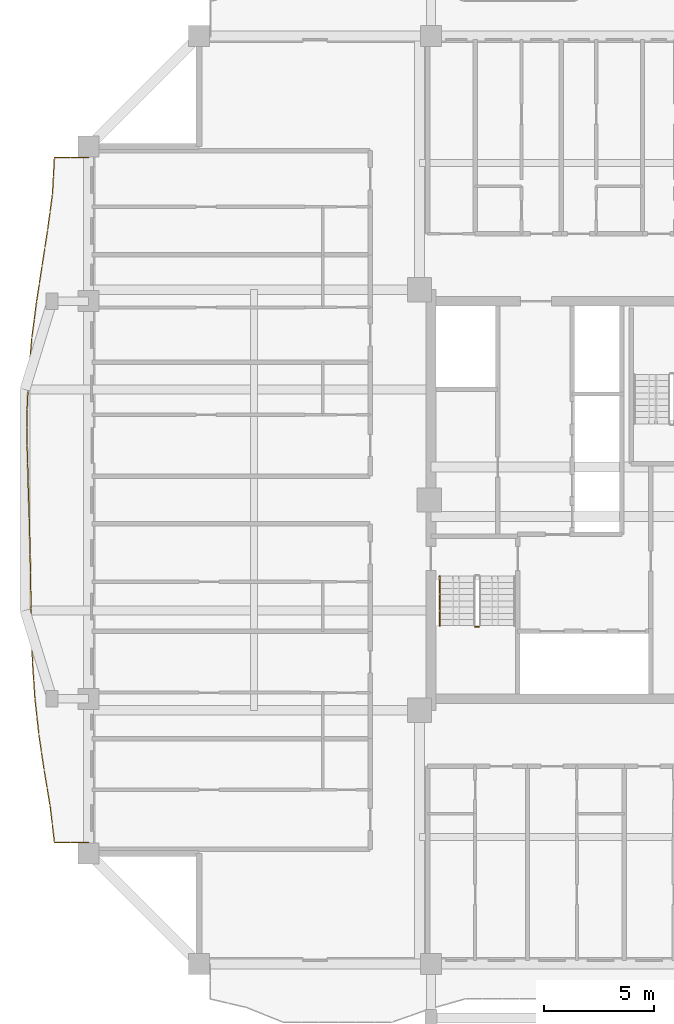
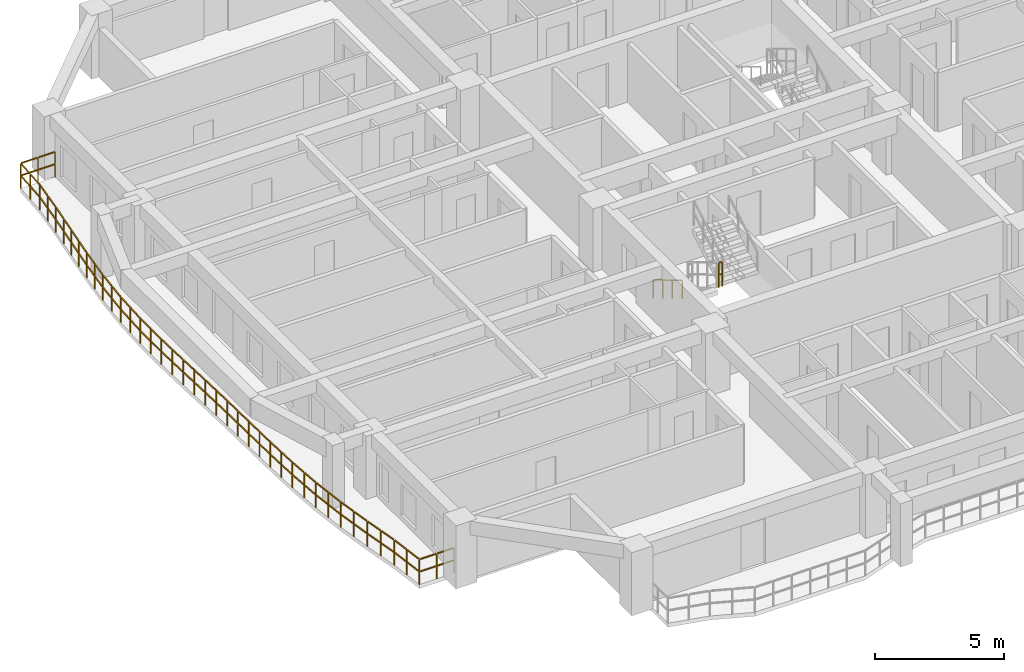
# One storey, part 12 of 15: 3 railings.
"""IFC4 building model written with IfcOpenShell, lengths in metres."""

from ifc_helpers import new_model, si_unit, direction, frame, origin, origin_2d, place, context, subcontext, project, spatial, rectangle, extrude, material, type_object, element, save


model = new_model("IFC4")

# Units and contexts
model_context = context("Model", 3, precision=1e-05, world=origin(), true_north=direction((0.0, 1.0)))
body_context = subcontext(model_context, "Body", "Model", "MODEL_VIEW")
ifc_project = project(units=[si_unit("LENGTHUNIT", "METRE"), si_unit("AREAUNIT", "SQUARE_METRE"), si_unit("VOLUMEUNIT", "CUBIC_METRE"), si_unit("PLANEANGLEUNIT", "RADIAN"), si_unit("MASSUNIT", "GRAM", prefix="KILO")], contexts=[model_context])

# Site, building, storey
site_placement = place(None, origin())
site = spatial("IfcSite", under=ifc_project, at=site_placement, CompositionType="ELEMENT")
building_placement = place(site_placement, origin())
building = spatial("IfcBuilding", under=site, at=building_placement, Name="Saelheon Loggia Tower", CompositionType="ELEMENT")
storey_placement = place(building_placement, frame((0.0, 0.0, 163.0)))
storey = spatial("IfcBuildingStorey", under=building, at=storey_placement, Name="L51", CompositionType="ELEMENT", Elevation=163.0)

# Railings
ifc_material_1 = material(Name="Architectural Precast Concrete and Laminated Glass Guard", Category="concrete")
railing_type_1 = type_object("IfcRailingType", Name="Guard_Loggia_RL_LOG", PredefinedType="BALUSTRADE", material=ifc_material_1)
railing_1_placement = place(storey_placement, frame((16.0, 42.5, 0.0)))
element("IfcRailing", 1, at=railing_1_placement, inside=storey, type_object=railing_type_1, Name="L51 West Loggia Balustrade", PredefinedType="BALUSTRADE", context=body_context, shape_type="SweptSolid", body=[
    extrude(rectangle(XDim=0.048095703125, YDim=0.048095703125, at=origin_2d()), frame((-0.033203125, 0.0, 1.19580078125), z_axis=(-1.0, 0.0, 0.0), x_axis=(0.0, -1.0, 0.0)), (0.0, 0.0, 1.0), 0.70849609375),
    extrude(rectangle(XDim=0.048095703125, YDim=0.048095703125, at=origin_2d()), frame((-0.033203125, 0.0, 0.60986328125), z_axis=(-1.0, 0.0, 0.0), x_axis=(0.0, -1.0, 0.0)), (0.0, 0.0, 1.0), 0.70849609375),
    extrude(rectangle(XDim=0.048095703125, YDim=0.048095703125, at=origin_2d()), frame((-0.808349609375, 0.0, 1.19580078125), z_axis=(-1.0, 0.0, 0.0), x_axis=(0.0, -1.0, 0.0)), (0.0, 0.0, 1.0), 0.70849609375),
    extrude(rectangle(XDim=0.048095703125, YDim=0.048095703125, at=origin_2d()), frame((-0.808349609375, 0.0, 0.60986328125), z_axis=(-1.0, 0.0, 0.0), x_axis=(0.0, -1.0, 0.0)), (0.0, 0.0, 1.0), 0.70849609375),
    extrude(rectangle(XDim=0.048095703125, YDim=0.048095703125, at=origin_2d()), frame((-1.5517578125, -0.033203125, 1.19580078125), z_axis=(-0.052598047159, -0.998615764664, 0.0), x_axis=(0.998615764664, -0.052598047159, 0.0)), (0.0, 0.0, 1.0), 0.75048828125),
    extrude(rectangle(XDim=0.048095703125, YDim=0.048095703125, at=origin_2d()), frame((-1.5517578125, -0.033203125, 0.60986328125), z_axis=(-0.052598047159, -0.998615764664, 0.0), x_axis=(0.998615764664, -0.052598047159, 0.0)), (0.0, 0.0, 1.0), 0.75048828125),
    extrude(rectangle(XDim=0.048095703125, YDim=0.048095703125, at=origin_2d()), frame((-1.5947265625, -0.848876953125, 1.19580078125), z_axis=(-0.052598047159, -0.998615764664, 0.0), x_axis=(0.998615764664, -0.052598047159, 0.0)), (0.0, 0.0, 1.0), 0.75048828125),
    extrude(rectangle(XDim=0.048095703125, YDim=0.048095703125, at=origin_2d()), frame((-1.5947265625, -0.848876953125, 0.60986328125), z_axis=(-0.052598047159, -0.998615764664, 0.0), x_axis=(0.998615764664, -0.052598047159, 0.0)), (0.0, 0.0, 1.0), 0.75048828125),
    extrude(rectangle(XDim=0.048095703125, YDim=0.048095703125, at=origin_2d()), frame((-1.640380859375, -1.66455078125, 1.19580078125), z_axis=(-0.134484591682, -0.99091568491, 0.0), x_axis=(0.99091568491, -0.134484591682, 0.0)), (0.0, 0.0, 1.0), 0.7568359375),
    extrude(rectangle(XDim=0.048095703125, YDim=0.048095703125, at=origin_2d()), frame((-1.640380859375, -1.66455078125, 0.60986328125), z_axis=(-0.134484591682, -0.99091568491, 0.0), x_axis=(0.99091568491, -0.134484591682, 0.0)), (0.0, 0.0, 1.0), 0.7568359375),
    extrude(rectangle(XDim=0.048095703125, YDim=0.048095703125, at=origin_2d()), frame((-1.751220703125, -2.480224609375, 1.19580078125), z_axis=(-0.134484591682, -0.99091568491, 0.0), x_axis=(0.99091568491, -0.134484591682, 0.0)), (0.0, 0.0, 1.0), 0.7568359375),
    extrude(rectangle(XDim=0.048095703125, YDim=0.048095703125, at=origin_2d()), frame((-1.751220703125, -2.480224609375, 0.60986328125), z_axis=(-0.134484591682, -0.99091568491, 0.0), x_axis=(0.99091568491, -0.134484591682, 0.0)), (0.0, 0.0, 1.0), 0.7568359375),
    extrude(rectangle(XDim=0.048095703125, YDim=0.048095703125, at=origin_2d()), frame((-1.862548828125, -3.296142578125, 1.19580078125), z_axis=(-0.152323888709, -0.988330629359, 0.0), x_axis=(0.988330629359, -0.152323888709, 0.0)), (0.0, 0.0, 1.0), 0.759033203125),
    extrude(rectangle(XDim=0.048095703125, YDim=0.048095703125, at=origin_2d()), frame((-1.862548828125, -3.296142578125, 0.60986328125), z_axis=(-0.152323888709, -0.988330629359, 0.0), x_axis=(0.988330629359, -0.152323888709, 0.0)), (0.0, 0.0, 1.0), 0.759033203125),
    extrude(rectangle(XDim=0.048095703125, YDim=0.048095703125, at=origin_2d()), frame((-1.98828125, -4.11181640625, 1.19580078125), z_axis=(-0.152323888709, -0.988330629359, 0.0), x_axis=(0.988330629359, -0.152323888709, 0.0)), (0.0, 0.0, 1.0), 0.759033203125),
    extrude(rectangle(XDim=0.048095703125, YDim=0.048095703125, at=origin_2d()), frame((-1.98828125, -4.11181640625, 0.60986328125), z_axis=(-0.152323888709, -0.988330629359, 0.0), x_axis=(0.988330629359, -0.152323888709, 0.0)), (0.0, 0.0, 1.0), 0.759033203125),
    extrude(rectangle(XDim=0.048095703125, YDim=0.048095703125, at=origin_2d()), frame((-2.114013671875, -4.927734375, 1.19580078125), z_axis=(-0.151601487322, -0.988441697341, 0.0), x_axis=(0.988441697341, -0.151601487322, 0.0)), (0.0, 0.0, 1.0), 0.7587890625),
    extrude(rectangle(XDim=0.048095703125, YDim=0.048095703125, at=origin_2d()), frame((-2.114013671875, -4.927734375, 0.60986328125), z_axis=(-0.151601487322, -0.988441697341, 0.0), x_axis=(0.988441697341, -0.151601487322, 0.0)), (0.0, 0.0, 1.0), 0.7587890625),
    extrude(rectangle(XDim=0.048095703125, YDim=0.048095703125, at=origin_2d()), frame((-2.239013671875, -5.743408203125, 1.19580078125), z_axis=(-0.151601487322, -0.988441697341, 0.0), x_axis=(0.988441697341, -0.151601487322, 0.0)), (0.0, 0.0, 1.0), 0.7587890625),
    extrude(rectangle(XDim=0.048095703125, YDim=0.048095703125, at=origin_2d()), frame((-2.239013671875, -5.743408203125, 0.60986328125), z_axis=(-0.151601487322, -0.988441697341, 0.0), x_axis=(0.988441697341, -0.151601487322, 0.0)), (0.0, 0.0, 1.0), 0.7587890625),
    extrude(rectangle(XDim=0.048095703125, YDim=0.048095703125, at=origin_2d()), frame((-2.363525390625, -6.559326171875, 1.19580078125), z_axis=(-0.128945873012, -0.991651633303, 0.0), x_axis=(0.991651633303, -0.128945873012, 0.0)), (0.0, 0.0, 1.0), 0.756103515625),
    extrude(rectangle(XDim=0.048095703125, YDim=0.048095703125, at=origin_2d()), frame((-2.363525390625, -6.559326171875, 0.60986328125), z_axis=(-0.128945873012, -0.991651633303, 0.0), x_axis=(0.991651633303, -0.128945873012, 0.0)), (0.0, 0.0, 1.0), 0.756103515625),
    extrude(rectangle(XDim=0.048095703125, YDim=0.048095703125, at=origin_2d()), frame((-2.469482421875, -7.375, 1.19580078125), z_axis=(-0.128945873012, -0.991651633303, 0.0), x_axis=(0.991651633303, -0.128945873012, 0.0)), (0.0, 0.0, 1.0), 0.756103515625),
    extrude(rectangle(XDim=0.048095703125, YDim=0.048095703125, at=origin_2d()), frame((-2.469482421875, -7.375, 0.60986328125), z_axis=(-0.128945873012, -0.991651633303, 0.0), x_axis=(0.991651633303, -0.128945873012, 0.0)), (0.0, 0.0, 1.0), 0.756103515625),
    extrude(rectangle(XDim=0.048095703125, YDim=0.048095703125, at=origin_2d()), frame((-2.57421875, -8.191162109375, 1.19580078125), z_axis=(-0.088237451096, -0.996099469041, 0.0), x_axis=(0.996099469041, -0.088237451096, 0.0)), (0.0, 0.0, 1.0), 0.75244140625),
    extrude(rectangle(XDim=0.048095703125, YDim=0.048095703125, at=origin_2d()), frame((-2.57421875, -8.191162109375, 0.60986328125), z_axis=(-0.088237451096, -0.996099469041, 0.0), x_axis=(0.996099469041, -0.088237451096, 0.0)), (0.0, 0.0, 1.0), 0.75244140625),
    extrude(rectangle(XDim=0.048095703125, YDim=0.048095703125, at=origin_2d()), frame((-2.646484375, -9.0068359375, 1.19580078125), z_axis=(-0.088237451096, -0.996099469041, 0.0), x_axis=(0.996099469041, -0.088237451096, 0.0)), (0.0, 0.0, 1.0), 0.75244140625),
    extrude(rectangle(XDim=0.048095703125, YDim=0.048095703125, at=origin_2d()), frame((-2.646484375, -9.0068359375, 0.60986328125), z_axis=(-0.088237451096, -0.996099469041, 0.0), x_axis=(0.996099469041, -0.088237451096, 0.0)), (0.0, 0.0, 1.0), 0.75244140625),
    extrude(rectangle(XDim=0.048095703125, YDim=0.048095703125, at=origin_2d()), frame((-2.71728515625, -9.82275390625, 1.19580078125), z_axis=(-0.040666615849, -0.999172771024, 0.0), x_axis=(0.999172771024, -0.040666615849, 0.0)), (0.0, 0.0, 1.0), 0.75),
    extrude(rectangle(XDim=0.048095703125, YDim=0.048095703125, at=origin_2d()), frame((-2.71728515625, -9.82275390625, 0.60986328125), z_axis=(-0.040666615849, -0.999172771024, 0.0), x_axis=(0.999172771024, -0.040666615849, 0.0)), (0.0, 0.0, 1.0), 0.75),
    extrude(rectangle(XDim=0.048095703125, YDim=0.048095703125, at=origin_2d()), frame((-2.75048828125, -10.638671875, 1.19580078125), z_axis=(-0.040666615849, -0.999172771024, 0.0), x_axis=(0.999172771024, -0.040666615849, 0.0)), (0.0, 0.0, 1.0), 0.75),
    extrude(rectangle(XDim=0.048095703125, YDim=0.048095703125, at=origin_2d()), frame((-2.75048828125, -10.638671875, 0.60986328125), z_axis=(-0.040666615849, -0.999172771024, 0.0), x_axis=(0.999172771024, -0.040666615849, 0.0)), (0.0, 0.0, 1.0), 0.75),
    extrude(rectangle(XDim=0.048095703125, YDim=0.048095703125, at=origin_2d()), frame((-2.7822265625, -11.454345703125, 1.19580078125), z_axis=(0.000748278749, -0.999999720039, 0.0), x_axis=(0.999999720039, 0.000748278749, 0.0)), (0.0, 0.0, 1.0), 0.749267578125),
    extrude(rectangle(XDim=0.048095703125, YDim=0.048095703125, at=origin_2d()), frame((-2.7822265625, -11.454345703125, 0.60986328125), z_axis=(0.000748278749, -0.999999720039, 0.0), x_axis=(0.999999720039, 0.000748278749, 0.0)), (0.0, 0.0, 1.0), 0.749267578125),
    extrude(rectangle(XDim=0.048095703125, YDim=0.048095703125, at=origin_2d()), frame((-2.781494140625, -12.27001953125, 1.19580078125), z_axis=(0.000748278749, -0.999999720039, 0.0), x_axis=(0.999999720039, 0.000748278749, 0.0)), (0.0, 0.0, 1.0), 0.749267578125),
    extrude(rectangle(XDim=0.048095703125, YDim=0.048095703125, at=origin_2d()), frame((-2.781494140625, -12.27001953125, 0.60986328125), z_axis=(0.000748278749, -0.999999720039, 0.0), x_axis=(0.999999720039, 0.000748278749, 0.0)), (0.0, 0.0, 1.0), 0.749267578125),
    extrude(rectangle(XDim=0.048095703125, YDim=0.048095703125, at=origin_2d()), frame((-2.780029296875, -13.085693359375, 1.19580078125), z_axis=(0.026027390997, -0.999661230076, 0.0), x_axis=(0.999661230076, 0.026027390997, 0.0)), (0.0, 0.0, 1.0), 0.74951171875),
    extrude(rectangle(XDim=0.048095703125, YDim=0.048095703125, at=origin_2d()), frame((-2.780029296875, -13.085693359375, 0.60986328125), z_axis=(0.026027390997, -0.999661230076, 0.0), x_axis=(0.999661230076, 0.026027390997, 0.0)), (0.0, 0.0, 1.0), 0.74951171875),
    extrude(rectangle(XDim=0.048095703125, YDim=0.048095703125, at=origin_2d()), frame((-2.7587890625, -13.901611328125, 1.19580078125), z_axis=(0.026027390997, -0.999661230076, 0.0), x_axis=(0.999661230076, 0.026027390997, 0.0)), (0.0, 0.0, 1.0), 0.74951171875),
    extrude(rectangle(XDim=0.048095703125, YDim=0.048095703125, at=origin_2d()), frame((-2.7587890625, -13.901611328125, 0.60986328125), z_axis=(0.026027390997, -0.999661230076, 0.0), x_axis=(0.999661230076, 0.026027390997, 0.0)), (0.0, 0.0, 1.0), 0.74951171875),
    extrude(rectangle(XDim=0.048095703125, YDim=0.048095703125, at=origin_2d()), frame((-2.737548828125, -14.71728515625, 1.19580078125), z_axis=(0.032149739476, -0.999483063514, 0.0), x_axis=(0.999483063514, 0.032149739476, 0.0)), (0.0, 0.0, 1.0), 0.749755859375),
    extrude(rectangle(XDim=0.048095703125, YDim=0.048095703125, at=origin_2d()), frame((-2.737548828125, -14.71728515625, 0.60986328125), z_axis=(0.032149739476, -0.999483063514, 0.0), x_axis=(0.999483063514, 0.032149739476, 0.0)), (0.0, 0.0, 1.0), 0.749755859375),
    extrude(rectangle(XDim=0.048095703125, YDim=0.048095703125, at=origin_2d()), frame((-2.711181640625, -15.533203125, 1.19580078125), z_axis=(0.032149739476, -0.999483063514, 0.0), x_axis=(0.999483063514, 0.032149739476, 0.0)), (0.0, 0.0, 1.0), 0.749755859375),
    extrude(rectangle(XDim=0.048095703125, YDim=0.048095703125, at=origin_2d()), frame((-2.711181640625, -15.533203125, 0.60986328125), z_axis=(0.032149739476, -0.999483063514, 0.0), x_axis=(0.999483063514, 0.032149739476, 0.0)), (0.0, 0.0, 1.0), 0.749755859375),
    extrude(rectangle(XDim=0.048095703125, YDim=0.048095703125, at=origin_2d()), frame((-2.685302734375, -16.34912109375, 1.19580078125), z_axis=(0.024980979164, -0.999687926645, 0.0), x_axis=(0.999687926645, 0.024980979164, 0.0)), (0.0, 0.0, 1.0), 0.74951171875),
    extrude(rectangle(XDim=0.048095703125, YDim=0.048095703125, at=origin_2d()), frame((-2.685302734375, -16.34912109375, 0.60986328125), z_axis=(0.024980979164, -0.999687926645, 0.0), x_axis=(0.999687926645, 0.024980979164, 0.0)), (0.0, 0.0, 1.0), 0.74951171875),
    extrude(rectangle(XDim=0.048095703125, YDim=0.048095703125, at=origin_2d()), frame((-2.664794921875, -17.1650390625, 1.19580078125), z_axis=(0.024980979164, -0.999687926645, 0.0), x_axis=(0.999687926645, 0.024980979164, 0.0)), (0.0, 0.0, 1.0), 0.74951171875),
    extrude(rectangle(XDim=0.048095703125, YDim=0.048095703125, at=origin_2d()), frame((-2.664794921875, -17.1650390625, 0.60986328125), z_axis=(0.024980979164, -0.999687926645, 0.0), x_axis=(0.999687926645, 0.024980979164, 0.0)), (0.0, 0.0, 1.0), 0.74951171875),
    extrude(rectangle(XDim=0.048095703125, YDim=0.048095703125, at=origin_2d()), frame((-2.644775390625, -17.980712890625, 1.19580078125), z_axis=(0.015562317507, -0.999878899804, 0.0), x_axis=(0.999878899804, 0.015562317507, 0.0)), (0.0, 0.0, 1.0), 0.749267578125),
    extrude(rectangle(XDim=0.048095703125, YDim=0.048095703125, at=origin_2d()), frame((-2.644775390625, -17.980712890625, 0.60986328125), z_axis=(0.015562317507, -0.999878899804, 0.0), x_axis=(0.999878899804, 0.015562317507, 0.0)), (0.0, 0.0, 1.0), 0.749267578125),
    extrude(rectangle(XDim=0.048095703125, YDim=0.048095703125, at=origin_2d()), frame((-2.632080078125, -18.79638671875, 1.19580078125), z_axis=(0.015562317507, -0.999878899804, 0.0), x_axis=(0.999878899804, 0.015562317507, 0.0)), (0.0, 0.0, 1.0), 0.749267578125),
    extrude(rectangle(XDim=0.048095703125, YDim=0.048095703125, at=origin_2d()), frame((-2.632080078125, -18.79638671875, 0.60986328125), z_axis=(0.015562317507, -0.999878899804, 0.0), x_axis=(0.999878899804, 0.015562317507, 0.0)), (0.0, 0.0, 1.0), 0.749267578125),
    extrude(rectangle(XDim=0.048095703125, YDim=0.048095703125, at=origin_2d()), frame((-2.619384765625, -19.612060546875, 1.19580078125), z_axis=(0.015559989428, -0.999878936036, 0.0), x_axis=(0.999878936036, 0.015559989428, 0.0)), (0.0, 0.0, 1.0), 0.74951171875),
    extrude(rectangle(XDim=0.048095703125, YDim=0.048095703125, at=origin_2d()), frame((-2.619384765625, -19.612060546875, 0.60986328125), z_axis=(0.015559989428, -0.999878936036, 0.0), x_axis=(0.999878936036, 0.015559989428, 0.0)), (0.0, 0.0, 1.0), 0.74951171875),
    extrude(rectangle(XDim=0.048095703125, YDim=0.048095703125, at=origin_2d()), frame((-2.606689453125, -20.427978515625, 1.19580078125), z_axis=(0.015559989428, -0.999878936036, 0.0), x_axis=(0.999878936036, 0.015559989428, 0.0)), (0.0, 0.0, 1.0), 0.74951171875),
    extrude(rectangle(XDim=0.048095703125, YDim=0.048095703125, at=origin_2d()), frame((-2.606689453125, -20.427978515625, 0.60986328125), z_axis=(0.015559989428, -0.999878936036, 0.0), x_axis=(0.999878936036, 0.015559989428, 0.0)), (0.0, 0.0, 1.0), 0.74951171875),
    extrude(rectangle(XDim=0.048095703125, YDim=0.048095703125, at=origin_2d()), frame((-2.593505859375, -21.24365234375, 1.19580078125), z_axis=(0.032453343645, -0.999473251511, 0.0), x_axis=(0.999473251511, 0.032453343645, 0.0)), (0.0, 0.0, 1.0), 0.749755859375),
    extrude(rectangle(XDim=0.048095703125, YDim=0.048095703125, at=origin_2d()), frame((-2.593505859375, -21.24365234375, 0.60986328125), z_axis=(0.032453343645, -0.999473251511, 0.0), x_axis=(0.999473251511, 0.032453343645, 0.0)), (0.0, 0.0, 1.0), 0.749755859375),
    extrude(rectangle(XDim=0.048095703125, YDim=0.048095703125, at=origin_2d()), frame((-2.56689453125, -22.0595703125, 1.19580078125), z_axis=(0.032453343645, -0.999473251511, 0.0), x_axis=(0.999473251511, 0.032453343645, 0.0)), (0.0, 0.0, 1.0), 0.749755859375),
    extrude(rectangle(XDim=0.048095703125, YDim=0.048095703125, at=origin_2d()), frame((-2.56689453125, -22.0595703125, 0.60986328125), z_axis=(0.032453343645, -0.999473251511, 0.0), x_axis=(0.999473251511, 0.032453343645, 0.0)), (0.0, 0.0, 1.0), 0.749755859375),
    extrude(rectangle(XDim=0.048095703125, YDim=0.048095703125, at=origin_2d()), frame((-2.539306640625, -22.875244140625, 1.19580078125), z_axis=(0.066142438238, -0.997810191301, 0.0), x_axis=(0.997810191301, 0.066142438238, 0.0)), (0.0, 0.0, 1.0), 0.751220703125),
    extrude(rectangle(XDim=0.048095703125, YDim=0.048095703125, at=origin_2d()), frame((-2.539306640625, -22.875244140625, 0.60986328125), z_axis=(0.066142438238, -0.997810191301, 0.0), x_axis=(0.997810191301, 0.066142438238, 0.0)), (0.0, 0.0, 1.0), 0.751220703125),
    extrude(rectangle(XDim=0.048095703125, YDim=0.048095703125, at=origin_2d()), frame((-2.485107421875, -23.69091796875, 1.19580078125), z_axis=(0.066142438238, -0.997810191301, 0.0), x_axis=(0.997810191301, 0.066142438238, 0.0)), (0.0, 0.0, 1.0), 0.751220703125),
    extrude(rectangle(XDim=0.048095703125, YDim=0.048095703125, at=origin_2d()), frame((-2.485107421875, -23.69091796875, 0.60986328125), z_axis=(0.066142438238, -0.997810191301, 0.0), x_axis=(0.997810191301, 0.066142438238, 0.0)), (0.0, 0.0, 1.0), 0.751220703125),
    extrude(rectangle(XDim=0.048095703125, YDim=0.048095703125, at=origin_2d()), frame((-2.4296875, -24.506591796875, 1.19580078125), z_axis=(0.107998454426, -0.994151061882, 0.0), x_axis=(0.994151061882, 0.107998454426, 0.0)), (0.0, 0.0, 1.0), 0.754150390625),
    extrude(rectangle(XDim=0.048095703125, YDim=0.048095703125, at=origin_2d()), frame((-2.4296875, -24.506591796875, 0.60986328125), z_axis=(0.107998454426, -0.994151061882, 0.0), x_axis=(0.994151061882, 0.107998454426, 0.0)), (0.0, 0.0, 1.0), 0.754150390625),
    extrude(rectangle(XDim=0.048095703125, YDim=0.048095703125, at=origin_2d()), frame((-2.341064453125, -25.322509765625, 1.19580078125), z_axis=(0.107998454426, -0.994151061882, 0.0), x_axis=(0.994151061882, 0.107998454426, 0.0)), (0.0, 0.0, 1.0), 0.754150390625),
    extrude(rectangle(XDim=0.048095703125, YDim=0.048095703125, at=origin_2d()), frame((-2.341064453125, -25.322509765625, 0.60986328125), z_axis=(0.107998454426, -0.994151061882, 0.0), x_axis=(0.994151061882, 0.107998454426, 0.0)), (0.0, 0.0, 1.0), 0.754150390625),
    extrude(rectangle(XDim=0.048095703125, YDim=0.048095703125, at=origin_2d()), frame((-2.251220703125, -26.13818359375, 1.19580078125), z_axis=(0.145378914052, -0.989376051534, 0.0), x_axis=(0.989376051534, 0.145378914052, 0.0)), (0.0, 0.0, 1.0), 0.758056640625),
    extrude(rectangle(XDim=0.048095703125, YDim=0.048095703125, at=origin_2d()), frame((-2.251220703125, -26.13818359375, 0.60986328125), z_axis=(0.145378914052, -0.989376051534, 0.0), x_axis=(0.989376051534, 0.145378914052, 0.0)), (0.0, 0.0, 1.0), 0.758056640625),
    extrude(rectangle(XDim=0.048095703125, YDim=0.048095703125, at=origin_2d()), frame((-2.13134765625, -26.953857421875, 1.19580078125), z_axis=(0.145378914052, -0.989376051534, 0.0), x_axis=(0.989376051534, 0.145378914052, 0.0)), (0.0, 0.0, 1.0), 0.758056640625),
    extrude(rectangle(XDim=0.048095703125, YDim=0.048095703125, at=origin_2d()), frame((-2.13134765625, -26.953857421875, 0.60986328125), z_axis=(0.145378914052, -0.989376051534, 0.0), x_axis=(0.989376051534, 0.145378914052, 0.0)), (0.0, 0.0, 1.0), 0.758056640625),
    extrude(rectangle(XDim=0.048095703125, YDim=0.048095703125, at=origin_2d()), frame((-2.0107421875, -27.76953125, 1.19580078125), z_axis=(0.166719283861, -0.98600440181, 0.0), x_axis=(0.98600440181, 0.166719283861, 0.0)), (0.0, 0.0, 1.0), 0.760986328125),
    extrude(rectangle(XDim=0.048095703125, YDim=0.048095703125, at=origin_2d()), frame((-2.0107421875, -27.76953125, 0.60986328125), z_axis=(0.166719283861, -0.98600440181, 0.0), x_axis=(0.98600440181, 0.166719283861, 0.0)), (0.0, 0.0, 1.0), 0.760986328125),
    extrude(rectangle(XDim=0.048095703125, YDim=0.048095703125, at=origin_2d()), frame((-1.872802734375, -28.58544921875, 1.19580078125), z_axis=(0.166719283861, -0.98600440181, 0.0), x_axis=(0.98600440181, 0.166719283861, 0.0)), (0.0, 0.0, 1.0), 0.760986328125),
    extrude(rectangle(XDim=0.048095703125, YDim=0.048095703125, at=origin_2d()), frame((-1.872802734375, -28.58544921875, 0.60986328125), z_axis=(0.166719283861, -0.98600440181, 0.0), x_axis=(0.98600440181, 0.166719283861, 0.0)), (0.0, 0.0, 1.0), 0.760986328125),
    extrude(rectangle(XDim=0.048095703125, YDim=0.048095703125, at=origin_2d()), frame((-1.736572265625, -29.4013671875, 1.19580078125), z_axis=(0.11592713187, -0.993257720884, 0.0), x_axis=(0.993257720884, 0.11592713187, 0.0)), (0.0, 0.0, 1.0), 0.7548828125),
    extrude(rectangle(XDim=0.048095703125, YDim=0.048095703125, at=origin_2d()), frame((-1.736572265625, -29.4013671875, 0.60986328125), z_axis=(0.11592713187, -0.993257720884, 0.0), x_axis=(0.993257720884, 0.11592713187, 0.0)), (0.0, 0.0, 1.0), 0.7548828125),
    extrude(rectangle(XDim=0.048095703125, YDim=0.048095703125, at=origin_2d()), frame((-1.641357421875, -30.21728515625, 1.19580078125), z_axis=(0.11592713187, -0.993257720884, 0.0), x_axis=(0.993257720884, 0.11592713187, 0.0)), (0.0, 0.0, 1.0), 0.7548828125),
    extrude(rectangle(XDim=0.048095703125, YDim=0.048095703125, at=origin_2d()), frame((-1.641357421875, -30.21728515625, 0.60986328125), z_axis=(0.11592713187, -0.993257720884, 0.0), x_axis=(0.993257720884, 0.11592713187, 0.0)), (0.0, 0.0, 1.0), 0.7548828125),
    extrude(rectangle(XDim=0.048095703125, YDim=0.048095703125, at=origin_2d()), frame((-1.516845703125, -31.0, 1.19580078125), z_axis=(1.0, 0.0, 0.0), x_axis=(0.0, 1.0, 0.0)), (0.0, 0.0, 1.0), 0.70849609375),
    extrude(rectangle(XDim=0.048095703125, YDim=0.048095703125, at=origin_2d()), frame((-1.516845703125, -31.0, 0.60986328125), z_axis=(1.0, 0.0, 0.0), x_axis=(0.0, 1.0, 0.0)), (0.0, 0.0, 1.0), 0.70849609375),
    extrude(rectangle(XDim=0.048095703125, YDim=0.048095703125, at=origin_2d()), frame((-0.74169921875, -31.0, 1.19580078125), z_axis=(1.0, 0.0, 0.0), x_axis=(0.0, 1.0, 0.0)), (0.0, 0.0, 1.0), 0.70849609375),
    extrude(rectangle(XDim=0.048095703125, YDim=0.048095703125, at=origin_2d()), frame((-0.74169921875, -31.0, 0.60986328125), z_axis=(1.0, 0.0, 0.0), x_axis=(0.0, 1.0, 0.0)), (0.0, 0.0, 1.0), 0.70849609375),
    extrude(rectangle(XDim=0.0419921875, YDim=0.0419921875, at=origin_2d()), origin(), (0.0, 0.0, 1.0), 1.16796875),
    extrude(rectangle(XDim=0.0419921875, YDim=0.0419921875, at=origin_2d()), frame((-0.77490234375, 0.0, 0.0)), (0.0, 0.0, 1.0), 1.16796875),
    extrude(rectangle(XDim=0.0419921875, YDim=0.0419921875, at=origin_2d()), frame((-1.550048828125, 0.0, 0.0)), (0.0, 0.0, 1.0), 1.16796875),
    extrude(rectangle(XDim=0.0419921875, YDim=0.0419921875, at=origin_2d()), frame((-1.593017578125, -0.81591796875, 0.0)), (0.0, 0.0, 1.0), 1.16796875),
    extrude(rectangle(XDim=0.0419921875, YDim=0.0419921875, at=origin_2d()), frame((-1.635986328125, -1.631591796875, 0.0)), (0.0, 0.0, 1.0), 1.16796875),
    extrude(rectangle(XDim=0.0419921875, YDim=0.0419921875, at=origin_2d()), frame((-1.74658203125, -2.447265625, 0.0)), (0.0, 0.0, 1.0), 1.16796875),
    extrude(rectangle(XDim=0.0419921875, YDim=0.0419921875, at=origin_2d()), frame((-1.857421875, -3.26318359375, 0.0)), (0.0, 0.0, 1.0), 1.16796875),
    extrude(rectangle(XDim=0.0419921875, YDim=0.0419921875, at=origin_2d()), frame((-1.983154296875, -4.0791015625, 0.0)), (0.0, 0.0, 1.0), 1.16796875),
    extrude(rectangle(XDim=0.0419921875, YDim=0.0419921875, at=origin_2d()), frame((-2.10888671875, -4.894775390625, 0.0)), (0.0, 0.0, 1.0), 1.16796875),
    extrude(rectangle(XDim=0.0419921875, YDim=0.0419921875, at=origin_2d()), frame((-2.23388671875, -5.71044921875, 0.0)), (0.0, 0.0, 1.0), 1.16796875),
    extrude(rectangle(XDim=0.0419921875, YDim=0.0419921875, at=origin_2d()), frame((-2.359130859375, -6.5263671875, 0.0)), (0.0, 0.0, 1.0), 1.16796875),
    extrude(rectangle(XDim=0.0419921875, YDim=0.0419921875, at=origin_2d()), frame((-2.46533203125, -7.34228515625, 0.0)), (0.0, 0.0, 1.0), 1.16796875),
    extrude(rectangle(XDim=0.0419921875, YDim=0.0419921875, at=origin_2d()), frame((-2.5712890625, -8.157958984375, 0.0)), (0.0, 0.0, 1.0), 1.16796875),
    extrude(rectangle(XDim=0.0419921875, YDim=0.0419921875, at=origin_2d()), frame((-2.6435546875, -8.9736328125, 0.0)), (0.0, 0.0, 1.0), 1.16796875),
    extrude(rectangle(XDim=0.0419921875, YDim=0.0419921875, at=origin_2d()), frame((-2.7158203125, -9.78955078125, 0.0)), (0.0, 0.0, 1.0), 1.16796875),
    extrude(rectangle(XDim=0.0419921875, YDim=0.0419921875, at=origin_2d()), frame((-2.7490234375, -10.60546875, 0.0)), (0.0, 0.0, 1.0), 1.16796875),
    extrude(rectangle(XDim=0.0419921875, YDim=0.0419921875, at=origin_2d()), frame((-2.7822265625, -11.421142578125, 0.0)), (0.0, 0.0, 1.0), 1.16796875),
    extrude(rectangle(XDim=0.0419921875, YDim=0.0419921875, at=origin_2d()), frame((-2.78173828125, -12.23681640625, 0.0)), (0.0, 0.0, 1.0), 1.16796875),
    extrude(rectangle(XDim=0.0419921875, YDim=0.0419921875, at=origin_2d()), frame((-2.781005859375, -13.052490234375, 0.0)), (0.0, 0.0, 1.0), 1.16796875),
    extrude(rectangle(XDim=0.0419921875, YDim=0.0419921875, at=origin_2d()), frame((-2.759765625, -13.8681640625, 0.0)), (0.0, 0.0, 1.0), 1.16796875),
    extrude(rectangle(XDim=0.0419921875, YDim=0.0419921875, at=origin_2d()), frame((-2.738525390625, -14.68408203125, 0.0)), (0.0, 0.0, 1.0), 1.16796875),
    extrude(rectangle(XDim=0.0419921875, YDim=0.0419921875, at=origin_2d()), frame((-2.71240234375, -15.5, 0.0)), (0.0, 0.0, 1.0), 1.16796875),
    extrude(rectangle(XDim=0.0419921875, YDim=0.0419921875, at=origin_2d()), frame((-2.68603515625, -16.31591796875, 0.0)), (0.0, 0.0, 1.0), 1.16796875),
    extrude(rectangle(XDim=0.0419921875, YDim=0.0419921875, at=origin_2d()), frame((-2.66552734375, -17.1318359375, 0.0)), (0.0, 0.0, 1.0), 1.16796875),
    extrude(rectangle(XDim=0.0419921875, YDim=0.0419921875, at=origin_2d()), frame((-2.645263671875, -17.947509765625, 0.0)), (0.0, 0.0, 1.0), 1.16796875),
    extrude(rectangle(XDim=0.0419921875, YDim=0.0419921875, at=origin_2d()), frame((-2.632568359375, -18.76318359375, 0.0)), (0.0, 0.0, 1.0), 1.16796875),
    extrude(rectangle(XDim=0.0419921875, YDim=0.0419921875, at=origin_2d()), frame((-2.619873046875, -19.578857421875, 0.0)), (0.0, 0.0, 1.0), 1.16796875),
    extrude(rectangle(XDim=0.0419921875, YDim=0.0419921875, at=origin_2d()), frame((-2.607177734375, -20.39453125, 0.0)), (0.0, 0.0, 1.0), 1.16796875),
    extrude(rectangle(XDim=0.0419921875, YDim=0.0419921875, at=origin_2d()), frame((-2.594482421875, -21.21044921875, 0.0)), (0.0, 0.0, 1.0), 1.16796875),
    extrude(rectangle(XDim=0.0419921875, YDim=0.0419921875, at=origin_2d()), frame((-2.56787109375, -22.0263671875, 0.0)), (0.0, 0.0, 1.0), 1.16796875),
    extrude(rectangle(XDim=0.0419921875, YDim=0.0419921875, at=origin_2d()), frame((-2.54150390625, -22.842041015625, 0.0)), (0.0, 0.0, 1.0), 1.16796875),
    extrude(rectangle(XDim=0.0419921875, YDim=0.0419921875, at=origin_2d()), frame((-2.4873046875, -23.65771484375, 0.0)), (0.0, 0.0, 1.0), 1.16796875),
    extrude(rectangle(XDim=0.0419921875, YDim=0.0419921875, at=origin_2d()), frame((-2.433349609375, -24.4736328125, 0.0)), (0.0, 0.0, 1.0), 1.16796875),
    extrude(rectangle(XDim=0.0419921875, YDim=0.0419921875, at=origin_2d()), frame((-2.3447265625, -25.28955078125, 0.0)), (0.0, 0.0, 1.0), 1.16796875),
    extrude(rectangle(XDim=0.0419921875, YDim=0.0419921875, at=origin_2d()), frame((-2.256103515625, -26.105224609375, 0.0)), (0.0, 0.0, 1.0), 1.16796875),
    extrude(rectangle(XDim=0.0419921875, YDim=0.0419921875, at=origin_2d()), frame((-2.13623046875, -26.9208984375, 0.0)), (0.0, 0.0, 1.0), 1.16796875),
    extrude(rectangle(XDim=0.0419921875, YDim=0.0419921875, at=origin_2d()), frame((-2.016357421875, -27.73681640625, 0.0)), (0.0, 0.0, 1.0), 1.16796875),
    extrude(rectangle(XDim=0.0419921875, YDim=0.0419921875, at=origin_2d()), frame((-1.87841796875, -28.552734375, 0.0)), (0.0, 0.0, 1.0), 1.16796875),
    extrude(rectangle(XDim=0.0419921875, YDim=0.0419921875, at=origin_2d()), frame((-1.740478515625, -29.368408203125, 0.0)), (0.0, 0.0, 1.0), 1.16796875),
    extrude(rectangle(XDim=0.0419921875, YDim=0.0419921875, at=origin_2d()), frame((-1.645263671875, -30.18408203125, 0.0)), (0.0, 0.0, 1.0), 1.16796875),
    extrude(rectangle(XDim=0.0419921875, YDim=0.0419921875, at=origin_2d()), frame((-1.550048828125, -31.0, 0.0)), (0.0, 0.0, 1.0), 1.16796875),
    extrude(rectangle(XDim=0.0419921875, YDim=0.0419921875, at=origin_2d()), frame((-0.77490234375, -31.0, 0.0)), (0.0, 0.0, 1.0), 1.16796875),
    extrude(rectangle(XDim=0.0419921875, YDim=0.0419921875, at=origin_2d()), frame((0.0, -31.0, 0.0)), (0.0, 0.0, 1.0), 1.16796875),
])
ifc_material_2 = material(Name="Galvanised Steel S275 Stairwell Guardrail", Category="steel")
railing_type_2 = type_object("IfcRailingType", Name="Guard_StairWell_RL_STG", PredefinedType="GUARDRAIL", material=ifc_material_2)
railing_2_placement = place(storey_placement, frame((33.510009765625, 21.260009765625, 1.5)))
element("IfcRailing", 2, at=railing_2_placement, inside=storey, type_object=railing_type_2, Name="L51 ST1 stair guard 2", PredefinedType="GUARDRAIL", context=body_context, shape_type="SweptSolid", body=[
    extrude(rectangle(XDim=0.048095703125, YDim=0.048095703125, at=origin_2d()), frame((0.033203125, 0.0, 1.17578125), z_axis=(1.0, 0.0, 0.0), x_axis=(0.0, 1.0, 0.0)), (0.0, 0.0, 1.0), 0.093505859375),
    extrude(rectangle(XDim=0.048095703125, YDim=0.048095703125, at=origin_2d()), frame((0.033203125, 0.0, 0.60009765625), z_axis=(1.0, 0.0, 0.0), x_axis=(0.0, 1.0, 0.0)), (0.0, 0.0, 1.0), 0.093505859375),
    extrude(rectangle(XDim=0.0419921875, YDim=0.0419921875, at=origin_2d()), origin(), (0.0, 0.0, 1.0), 1.14794921875),
    extrude(rectangle(XDim=0.0419921875, YDim=0.0419921875, at=origin_2d()), frame((0.159912109375, 0.0, 0.0)), (0.0, 0.0, 1.0), 1.14794921875),
])
ifc_material_3 = material(Name="Stainless Steel 304 Tubular Handrail", Category="steel")
railing_type_3 = type_object("IfcRailingType", Name="Handrail_Stair_RL_HR1", PredefinedType="HANDRAIL", material=ifc_material_3)
railing_3_placement = place(storey_placement, frame((31.89990234375, 23.550048828125, 0.166748046875)))
element("IfcRailing", 3, at=railing_3_placement, inside=storey, type_object=railing_type_3, Name="L51 ST1 stair handrail 1", PredefinedType="HANDRAIL", context=body_context, shape_type="SweptSolid", body=[
    extrude(rectangle(XDim=0.048095703125, YDim=0.048095703125, at=origin_2d()), frame((0.0, -0.028564453125, 0.892822265625), z_axis=(0.0, -0.859305625298, 0.511462454469), x_axis=(1.0, 0.0, 0.0)), (0.0, 0.0, 1.0), 0.802490234375),
    extrude(rectangle(XDim=0.048095703125, YDim=0.048095703125, at=origin_2d()), frame((0.0, -0.775146484375, 1.337158203125), z_axis=(0.0, -0.859305625298, 0.511462454469), x_axis=(1.0, 0.0, 0.0)), (0.0, 0.0, 1.0), 0.802490234375),
    extrude(rectangle(XDim=0.048095703125, YDim=0.048095703125, at=origin_2d()), frame((0.0, -1.52197265625, 1.78173828125), z_axis=(0.0, -0.859305625298, 0.511462454469), x_axis=(1.0, 0.0, 0.0)), (0.0, 0.0, 1.0), 0.802490234375),
    extrude(rectangle(XDim=0.0419921875, YDim=0.0419921875, at=origin_2d()), origin(), (0.0, 0.0, 1.0), 0.847900390625),
    extrude(rectangle(XDim=0.0419921875, YDim=0.0419921875, at=origin_2d()), frame((0.0, -0.74658203125, 0.4443359375)), (0.0, 0.0, 1.0), 0.847900390625),
    extrude(rectangle(XDim=0.0419921875, YDim=0.0419921875, at=origin_2d()), frame((0.0, -1.493408203125, 0.888916015625)), (0.0, 0.0, 1.0), 0.847900390625),
    extrude(rectangle(XDim=0.0419921875, YDim=0.0419921875, at=origin_2d()), frame((0.0, -2.239990234375, 1.333251953125)), (0.0, 0.0, 1.0), 0.847900390625),
])

save(model, "model.ifc")
